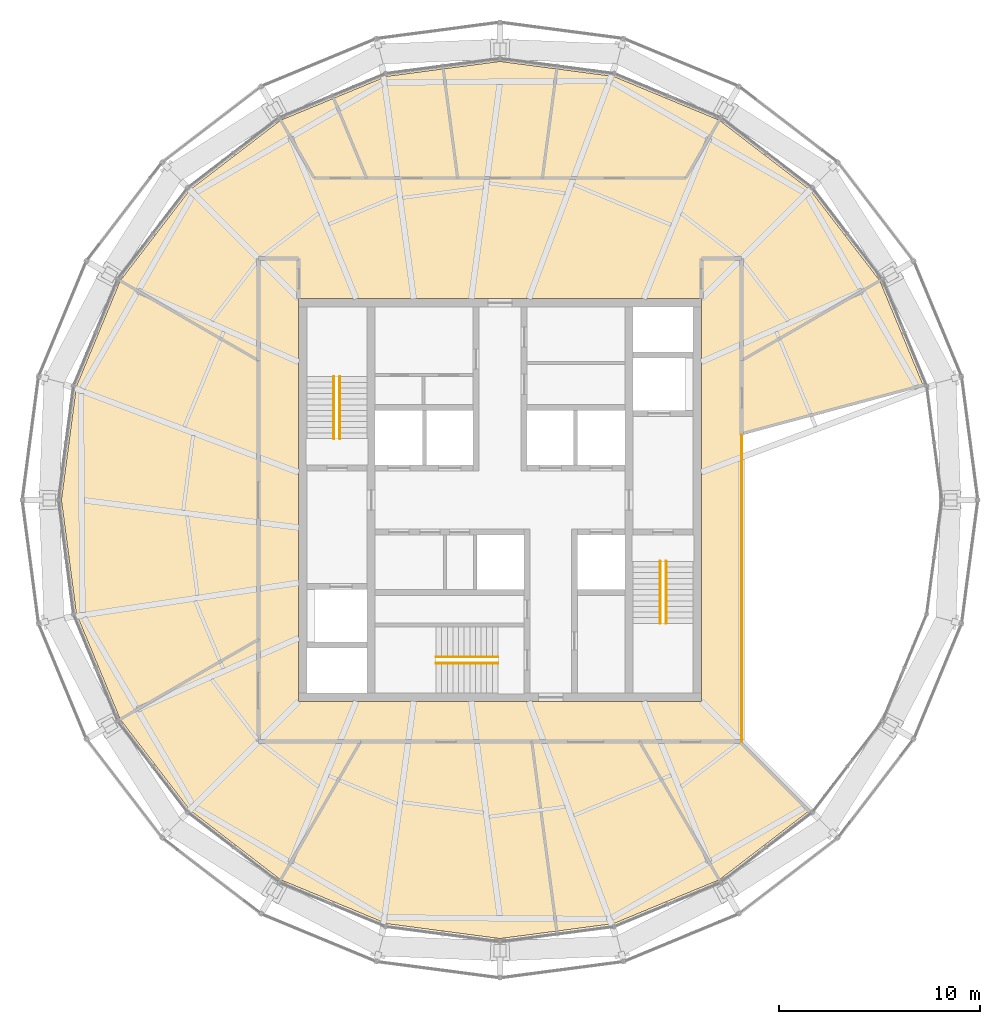
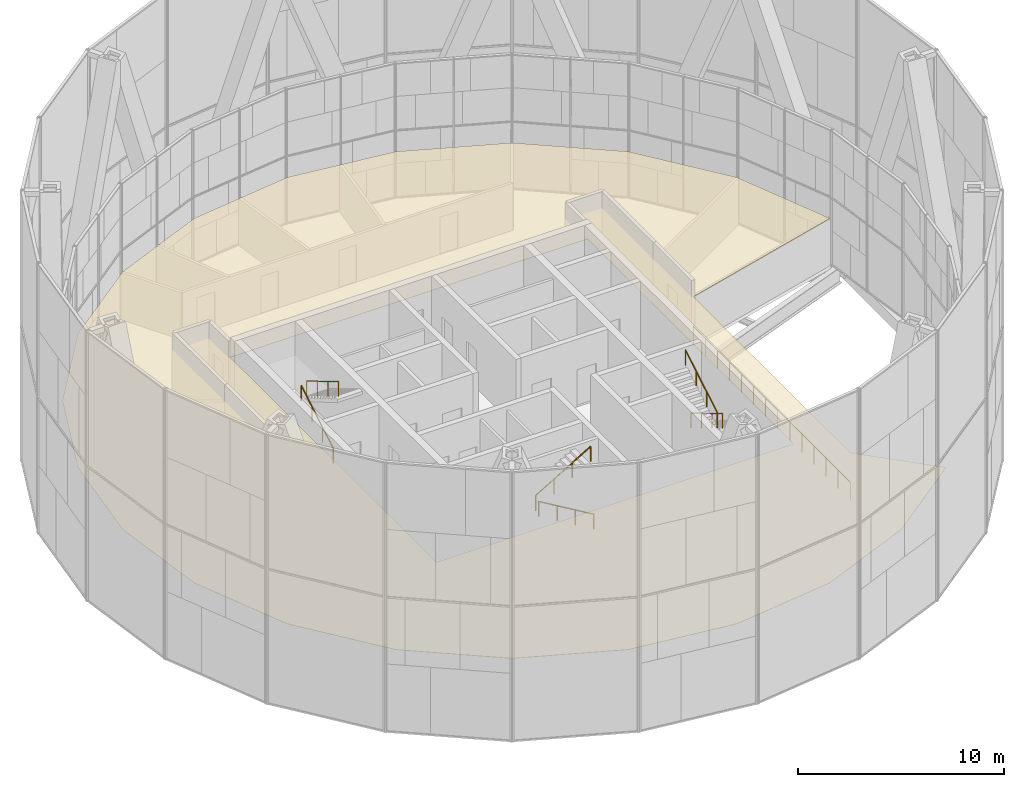
# One storey, part 22 of 22: 7 railings, 1 covering.
"""IFC4 building model written with IfcOpenShell, lengths in metres."""

from ifc_helpers import new_model, si_unit, direction, frame, origin, origin_2d, place, context, subcontext, project, spatial, polyline, circle, outline, extrude, material, layer, layer_set, type_object, element, save


model = new_model("IFC4")

# Units and contexts
model_context = context("Model", 3, precision=1e-05, world=origin(), true_north=direction((0.0, 1.0)))
body_context = subcontext(model_context, "Body", "Model", "MODEL_VIEW")
ifc_project = project(units=[si_unit("LENGTHUNIT", "METRE"), si_unit("AREAUNIT", "SQUARE_METRE"), si_unit("VOLUMEUNIT", "CUBIC_METRE"), si_unit("PLANEANGLEUNIT", "RADIAN"), si_unit("MASSUNIT", "GRAM", prefix="KILO")], contexts=[model_context])

# Site, building, storey
site_placement = place(None, origin())
site = spatial("IfcSite", under=ifc_project, at=site_placement, CompositionType="ELEMENT")
building_placement = place(site_placement, origin())
building = spatial("IfcBuilding", under=site, at=building_placement, Name="Golbaran Civic Tower", CompositionType="ELEMENT")
storey_placement = place(building_placement, frame((0.0, 0.0, 264.0)))
storey = spatial("IfcBuildingStorey", under=building, at=storey_placement, Name="L64", CompositionType="ELEMENT", Elevation=264.0)

# Railings
ifc_material_1 = material(Name="Laminated glass, steel shoe", Category="steel")
railing_type_1 = type_object("IfcRailingType", Name="GLASS BALUSTRADE 1100", PredefinedType="GUARDRAIL", material=ifc_material_1)
railing_1_placement = place(storey_placement, frame((12.0, -12.0, 0.0)))
element("IfcRailing", 1, at=railing_1_placement, inside=storey, type_object=railing_type_1, Name="Sky garden void guard L64", PredefinedType="GUARDRAIL", context=body_context, shape_type="SweptSolid", body=[
    extrude(circle(Radius=0.02392578125, at=origin_2d()), frame((0.0, 0.0, 1.076171875), z_axis=(0.0, 1.0, 0.0), x_axis=(-1.0, 0.0, 0.0)), (0.0, 0.0, 1.0), 15.21533203125),
    extrude(circle(Radius=0.02099609375, at=origin_2d()), origin(), (0.0, 0.0, 1.0), 1.052001953125),
    extrude(circle(Radius=0.02099609375, at=origin_2d()), frame((0.0, 1.17041015625, 0.0)), (0.0, 0.0, 1.0), 1.052001953125),
    extrude(circle(Radius=0.02099609375, at=origin_2d()), frame((0.0, 2.3408203125, 0.0)), (0.0, 0.0, 1.0), 1.052001953125),
    extrude(circle(Radius=0.02099609375, at=origin_2d()), frame((0.0, 3.51123046875, 0.0)), (0.0, 0.0, 1.0), 1.052001953125),
    extrude(circle(Radius=0.02099609375, at=origin_2d()), frame((0.0, 4.681640625, 0.0)), (0.0, 0.0, 1.0), 1.052001953125),
    extrude(circle(Radius=0.02099609375, at=origin_2d()), frame((0.0, 5.85205078125, 0.0)), (0.0, 0.0, 1.0), 1.052001953125),
    extrude(circle(Radius=0.02099609375, at=origin_2d()), frame((0.0, 7.0224609375, 0.0)), (0.0, 0.0, 1.0), 1.052001953125),
    extrude(circle(Radius=0.02099609375, at=origin_2d()), frame((0.0, 8.19287109375, 0.0)), (0.0, 0.0, 1.0), 1.052001953125),
    extrude(circle(Radius=0.02099609375, at=origin_2d()), frame((0.0, 9.36328125, 0.0)), (0.0, 0.0, 1.0), 1.052001953125),
    extrude(circle(Radius=0.02099609375, at=origin_2d()), frame((0.0, 10.53369140625, 0.0)), (0.0, 0.0, 1.0), 1.052001953125),
    extrude(circle(Radius=0.02099609375, at=origin_2d()), frame((0.0, 11.7041015625, 0.0)), (0.0, 0.0, 1.0), 1.052001953125),
    extrude(circle(Radius=0.02099609375, at=origin_2d()), frame((0.0, 12.87451171875, 0.0)), (0.0, 0.0, 1.0), 1.052001953125),
    extrude(circle(Radius=0.02099609375, at=origin_2d()), frame((0.0, 14.044921875, 0.0)), (0.0, 0.0, 1.0), 1.052001953125),
    extrude(circle(Radius=0.02099609375, at=origin_2d()), frame((0.0, 15.21533203125, 0.0)), (0.0, 0.0, 1.0), 1.052001953125),
])
ifc_material_2 = material(Name="Stainless steel", Category="steel")
railing_type_2 = type_object("IfcRailingType", Name="STAIR HANDRAIL 900", PredefinedType="HANDRAIL", material=ifc_material_2)
railing_2_placement = place(storey_placement, frame((-8.25, 3.050048828125, 0.166748046875)))
element("IfcRailing", 2, at=railing_2_placement, inside=storey, type_object=railing_type_2, Name="Stair S1 handrail flight 1 L64", PredefinedType="HANDRAIL", context=body_context, shape_type="SweptSolid", body=[
    extrude(circle(Radius=0.02392578125, at=origin_2d()), frame((0.0, 0.0, 0.8759765625), z_axis=(0.0, 0.859290745958, 0.51148745235), x_axis=(-1.0, 0.0, 0.0)), (0.0, 0.0, 1.0), 3.584228515625),
    extrude(circle(Radius=0.02099609375, at=origin_2d()), origin(), (0.0, 0.0, 1.0), 0.851806640625),
    extrude(circle(Radius=0.02099609375, at=origin_2d()), frame((0.0, 1.026611328125, 0.611083984375)), (0.0, 0.0, 1.0), 0.851806640625),
    extrude(circle(Radius=0.02099609375, at=origin_2d()), frame((0.0, 2.05322265625, 1.22216796875)), (0.0, 0.0, 1.0), 0.851806640625),
    extrude(circle(Radius=0.02099609375, at=origin_2d()), frame((0.0, 3.079833984375, 1.833251953125)), (0.0, 0.0, 1.0), 0.851806640625),
])
for number, where, name in (
    (3, (-7.949951171875, 6.1298828125, 2.166748046875), "Stair S1 handrail flight 2 L64"),
    (4, (8.25, -3.050048828125, 0.166748046875), "Stair S2 handrail flight 1 L64"),
):
    element("IfcRailing", number, at=place(storey_placement, frame(where)), inside=storey, type_object=railing_type_2, Name=name, PredefinedType="HANDRAIL", context=body_context, shape_type="SweptSolid", body=[
        extrude(circle(Radius=0.02392578125, at=origin_2d()), frame((0.0, 0.0, 0.8759765625), z_axis=(0.0, -0.859290745958, 0.51148745235), x_axis=(1.0, 0.0, 0.0)), (0.0, 0.0, 1.0), 3.584228515625),
        extrude(circle(Radius=0.02099609375, at=origin_2d()), origin(), (0.0, 0.0, 1.0), 0.851806640625),
        extrude(circle(Radius=0.02099609375, at=origin_2d()), frame((0.0, -1.026611328125, 0.611083984375)), (0.0, 0.0, 1.0), 0.851806640625),
        extrude(circle(Radius=0.02099609375, at=origin_2d()), frame((0.0, -2.05322265625, 1.22216796875)), (0.0, 0.0, 1.0), 0.851806640625),
        extrude(circle(Radius=0.02099609375, at=origin_2d()), frame((0.0, -3.079833984375, 1.833251953125)), (0.0, 0.0, 1.0), 0.851806640625),
    ])
railing_3_placement = place(storey_placement, frame((7.949951171875, -6.1298828125, 2.166748046875)))
element("IfcRailing", 5, at=railing_3_placement, inside=storey, type_object=railing_type_2, Name="Stair S2 handrail flight 2 L64", PredefinedType="HANDRAIL", context=body_context, shape_type="SweptSolid", body=[
    extrude(circle(Radius=0.02392578125, at=origin_2d()), frame((0.0, 0.0, 0.8759765625), z_axis=(0.0, 0.859290745958, 0.51148745235), x_axis=(-1.0, 0.0, 0.0)), (0.0, 0.0, 1.0), 3.584228515625),
    extrude(circle(Radius=0.02099609375, at=origin_2d()), origin(), (0.0, 0.0, 1.0), 0.851806640625),
    extrude(circle(Radius=0.02099609375, at=origin_2d()), frame((0.0, 1.026611328125, 0.611083984375)), (0.0, 0.0, 1.0), 0.851806640625),
    extrude(circle(Radius=0.02099609375, at=origin_2d()), frame((0.0, 2.05322265625, 1.22216796875)), (0.0, 0.0, 1.0), 0.851806640625),
    extrude(circle(Radius=0.02099609375, at=origin_2d()), frame((0.0, 3.079833984375, 1.833251953125)), (0.0, 0.0, 1.0), 0.851806640625),
])
railing_4_placement = place(storey_placement, frame((-0.10009765625, -8.10009765625, 0.166748046875)))
element("IfcRailing", 6, at=railing_4_placement, inside=storey, type_object=railing_type_2, Name="Stair S3 handrail flight 1 L64", PredefinedType="HANDRAIL", context=body_context, shape_type="SweptSolid", body=[
    extrude(circle(Radius=0.02392578125, at=origin_2d()), frame((0.0, 0.0, 0.8759765625), z_axis=(-0.859290745958, 0.0, 0.51148745235), x_axis=(0.0, -1.0, 0.0)), (0.0, 0.0, 1.0), 3.584228515625),
    extrude(circle(Radius=0.02099609375, at=origin_2d()), origin(), (0.0, 0.0, 1.0), 0.851806640625),
    extrude(circle(Radius=0.02099609375, at=origin_2d()), frame((-1.026611328125, 0.0, 0.611083984375)), (0.0, 0.0, 1.0), 0.851806640625),
    extrude(circle(Radius=0.02099609375, at=origin_2d()), frame((-2.05322265625, 0.0, 1.22216796875)), (0.0, 0.0, 1.0), 0.851806640625),
    extrude(circle(Radius=0.02099609375, at=origin_2d()), frame((-3.079833984375, 0.0, 1.833251953125)), (0.0, 0.0, 1.0), 0.851806640625),
])
railing_5_placement = place(storey_placement, frame((-3.179931640625, -7.800048828125, 2.166748046875)))
element("IfcRailing", 7, at=railing_5_placement, inside=storey, type_object=railing_type_2, Name="Stair S3 handrail flight 2 L64", PredefinedType="HANDRAIL", context=body_context, shape_type="SweptSolid", body=[
    extrude(circle(Radius=0.02392578125, at=origin_2d()), frame((0.0, 0.0, 0.8759765625), z_axis=(0.859290745958, 0.0, 0.51148745235), x_axis=(0.0, 1.0, 0.0)), (0.0, 0.0, 1.0), 3.584228515625),
    extrude(circle(Radius=0.02099609375, at=origin_2d()), origin(), (0.0, 0.0, 1.0), 0.851806640625),
    extrude(circle(Radius=0.02099609375, at=origin_2d()), frame((1.026611328125, 0.0, 0.611083984375)), (0.0, 0.0, 1.0), 0.851806640625),
    extrude(circle(Radius=0.02099609375, at=origin_2d()), frame((2.05322265625, 0.0, 1.22216796875)), (0.0, 0.0, 1.0), 0.851806640625),
    extrude(circle(Radius=0.02099609375, at=origin_2d()), frame((3.079833984375, 0.0, 1.833251953125)), (0.0, 0.0, 1.0), 0.851806640625),
])

# Covering
ifc_material_3 = material(Name="Mineral fibre tile on steel grid", Category="steel")
ifc_layer = layer(ifc_material_3, 0.02001953125, Name="Mineral fibre tile on steel grid")
ifc_layer_set = layer_set([ifc_layer], Name="Mineral fibre tile on steel grid")
covering_type = type_object("IfcCoveringType", Name="SUSPENDED CEILING 600 TILE 20", PredefinedType="CEILING", material=ifc_layer_set)
covering_placement = place(storey_placement, frame((0.0, 0.0, 2.800048828125)))
element("IfcCovering", 8, at=covering_placement, inside=storey, type_object=covering_type, Name="Suspended ceiling L64", PredefinedType="CEILING", context=body_context, shape_type="SweptSolid", body=[
    extrude(outline(polyline([(-21.046630859375, 5.639404296875), (-18.869873046875, 10.89453125), (-15.4072265625, 15.4072265625), (-10.89453125, 18.869873046875), (-5.639404296875, 21.046630859375), (-2.968505859375, 21.398193359375), (0.0, 21.7890625), (5.639404296875, 21.046630859375), (10.89453125, 18.869873046875), (15.4072265625, 15.4072265625), (18.869873046875, 10.89453125), (21.046630859375, 5.639404296875), (12.0, 3.21533203125), (12.0, -12.0), (15.4072265625, -15.4072265625), (10.89453125, -18.869873046875), (5.639404296875, -21.046630859375), (2.968505859375, -21.398193359375), (0.0, -21.7890625), (-5.639404296875, -21.046630859375), (-10.89453125, -18.869873046875), (-15.4072265625, -15.4072265625), (-18.869873046875, -10.89453125), (-21.046630859375, -5.639404296875), (-21.7890625, 0.0), (-21.046630859375, 5.639404296875)]), holes=[polyline([(-10.0, 10.0), (-10.0, -10.0), (10.0, -10.0), (10.0, 10.0), (-10.0, 10.0)])]), origin(), (0.0, 0.0, 1.0), 0.02001953125),
])

save(model, "model.ifc")
